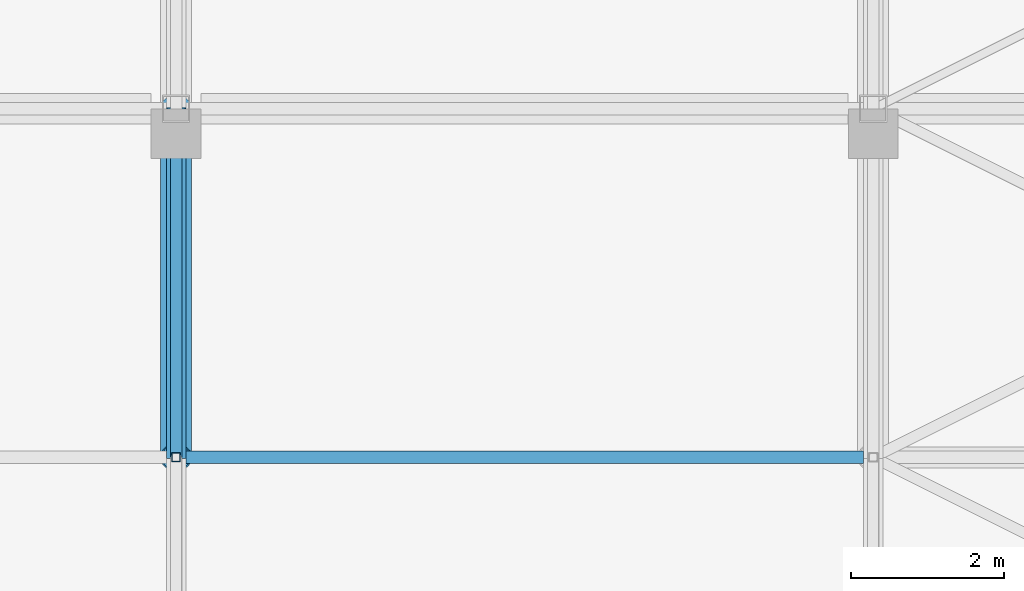
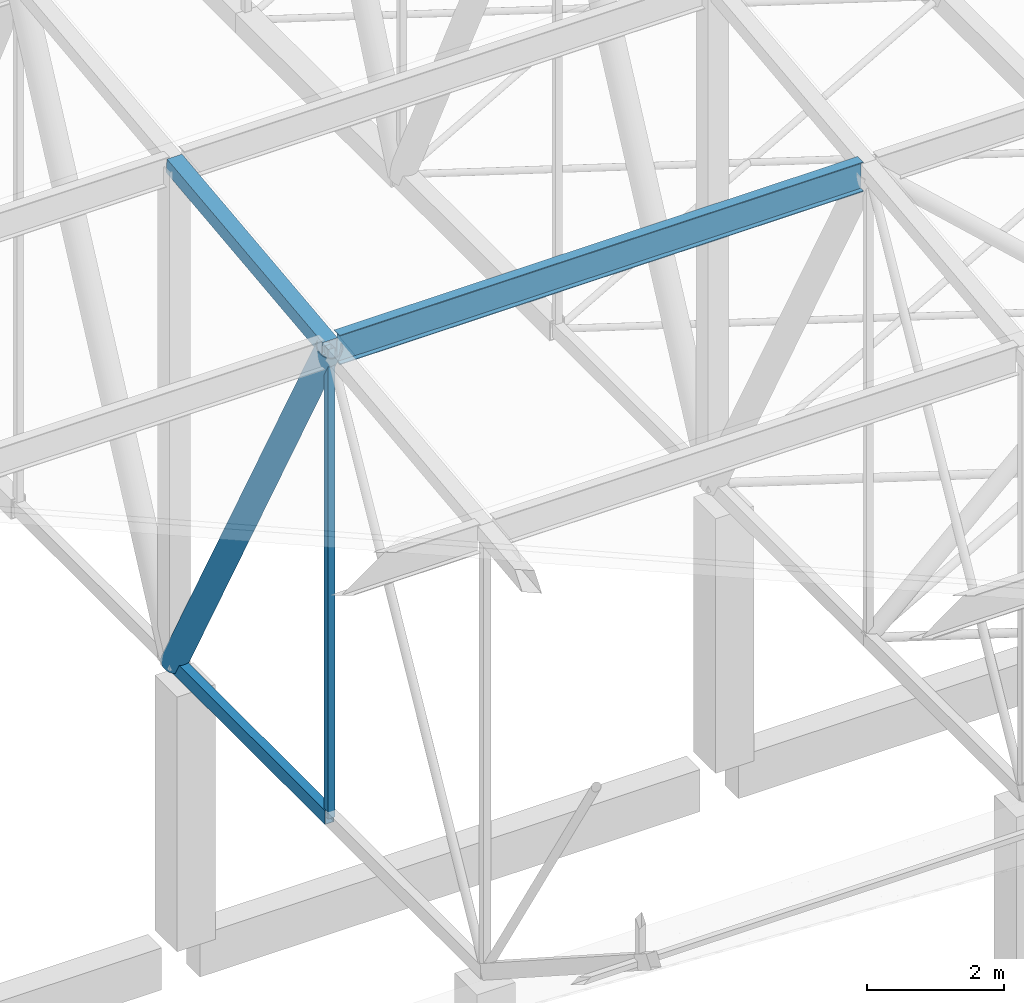
# One storey, part 101 of 500: 5 members.
"""IFC4 building model written with IfcOpenShell, lengths in metres."""

import ifcopenshell
import ifcopenshell.guid

model = None  # the IFC model being written
_history = None  # IfcOwnerHistory: only IFC2X3 demands one
_inside = {}  # id of a spatial element -> (the spatial element, [elements in it])
_under = {}  # id of a project, library or spatial element -> (it, [spatial elements below it])
_declared = {}  # id of a project -> (the project, [libraries it declares])
_typed = {}  # id of a type object -> (the type object, [elements of that type])
_made_of = {}  # id of a material, layer set ... -> (it, [elements and type objects made of it])


def new_model(schema):
    """Start an empty IFC model of exactly this schema.

    Asked for "IFC4X3", IfcOpenShell would pick the latest addendum, in which some entities
    have other attributes; the version numbers below select the first issue.
    IFC2X3 requires an IfcOwnerHistory on every rooted entity: one is made here for all.
    """
    global model, _history
    if schema == "IFC4X3":
        model = ifcopenshell.file(schema_version=(4, 3, 0, 0))
    else:
        model = ifcopenshell.file(schema=schema)
    _inside.clear()
    _under.clear()
    _declared.clear()
    _typed.clear()
    _made_of.clear()
    _history = None
    if model.schema == "IFC2X3":
        org = make("IfcOrganization", Name="unknown")
        user = make(
            "IfcPersonAndOrganization",
            ThePerson=make("IfcPerson", FamilyName="unknown"),
            TheOrganization=org,
        )
        app = make(
            "IfcApplication",
            ApplicationDeveloper=org,
            Version="unknown",
            ApplicationFullName="unknown",
            ApplicationIdentifier="unknown",
        )
        _history = make(
            "IfcOwnerHistory",
            OwningUser=user,
            OwningApplication=app,
            ChangeAction="ADDED",
            CreationDate=0,
        )
    return model


def make(cls, **values):
    """One entity of the class cls with the attributes given. An attribute that is None is left unset."""
    return model.create_entity(
        cls, **{name: value for name, value in values.items() if value is not None}
    )


def rooted(cls, **values):
    """An entity with a GlobalId (a new one), such as an element, a storey or a relation."""
    return make(cls, GlobalId=ifcopenshell.guid.new(), OwnerHistory=_history, **values)


def si_unit(unit_type, name, prefix=None):
    """IfcSIUnit, for example si_unit("LENGTHUNIT", "METRE", prefix="MILLI")."""
    return make("IfcSIUnit", UnitType=unit_type, Prefix=prefix, Name=name)


def assignment(units):
    """IfcUnitAssignment: the units of a project."""
    return None if units is None else make("IfcUnitAssignment", Units=units)


def point(xyz):
    """IfcCartesianPoint."""
    return None if xyz is None else make("IfcCartesianPoint", Coordinates=xyz)


def direction(xyz):
    """IfcDirection."""
    return None if xyz is None else make("IfcDirection", DirectionRatios=xyz)


def frame(location, z_axis=None, x_axis=None):
    """IfcAxis2Placement3D, a coordinate frame: its origin and axes. An axis left out is left unset."""
    return make(
        "IfcAxis2Placement3D",
        Location=point(location),
        Axis=direction(z_axis),
        RefDirection=direction(x_axis),
    )


def frame_2d(location, x_axis=None):
    """IfcAxis2Placement2D, a coordinate frame in the plane: its origin and x axis."""
    return make(
        "IfcAxis2Placement2D", Location=point(location), RefDirection=direction(x_axis)
    )


def origin():
    """The frame at (0, 0, 0) with its axes left unset."""
    return frame((0.0, 0.0, 0.0))


def origin_2d():
    """The frame at (0, 0) in the plane with its x axis left unset."""
    return frame_2d((0.0, 0.0))


def place(relative_to, where):
    """IfcLocalPlacement: puts the frame where relative to a parent placement (None: the world)."""
    return make(
        "IfcLocalPlacement", PlacementRelTo=relative_to, RelativePlacement=where
    )


def context(
    kind, dimensions, precision=None, world=None, true_north=None, identifier=None
):
    """IfcGeometricRepresentationContext, for example the 3D "Model" context."""
    return make(
        "IfcGeometricRepresentationContext",
        ContextIdentifier=identifier,
        ContextType=kind,
        CoordinateSpaceDimension=dimensions,
        Precision=precision,
        WorldCoordinateSystem=world,
        TrueNorth=true_north,
    )


def subcontext(parent, identifier, kind, view, scale=None):
    """IfcGeometricRepresentationSubContext, for example "Body" below "Model"."""
    return make(
        "IfcGeometricRepresentationSubContext",
        ContextIdentifier=identifier,
        ContextType=kind,
        ParentContext=parent,
        TargetScale=scale,
        TargetView=view,
    )


def project(units=None, contexts=None):
    """IfcProject with its units and contexts."""
    return rooted(
        "IfcProject",
        Name="project",
        RepresentationContexts=contexts,
        UnitsInContext=assignment(units),
    )


def spatial(cls, under=None, at=None, **own):
    """A site, building, storey or space (cls), placed at a placement, below another one or the project."""
    s = rooted(cls, ObjectPlacement=at, **own)
    if under is not None:
        _under.setdefault(under.id(), (under, []))[1].append(s)
    return s


def profile(cls, at=None, kind="AREA", **sizes):
    """A parametric profile (cls). Its sizes go by their IFC names, for example OverallWidth=200.0."""
    return make(cls, ProfileType=kind, Position=at, **sizes)


def hollow_rectangle(**sizes):
    """IfcRectangleHollowProfileDef."""
    return profile("IfcRectangleHollowProfileDef", **sizes)


def hollow_circle(**sizes):
    """IfcCircleHollowProfileDef."""
    return profile("IfcCircleHollowProfileDef", **sizes)


def i_section(**sizes):
    """IfcIShapeProfileDef."""
    return profile("IfcIShapeProfileDef", **sizes)


def extrude(swept, where, along, depth):
    """IfcExtrudedAreaSolid: the profile swept, set in the frame where, extruded along a direction by depth."""
    return make(
        "IfcExtrudedAreaSolid",
        SweptArea=swept,
        Position=where,
        ExtrudedDirection=direction(along),
        Depth=depth,
    )


def shape(context_of_items, identifier, shape_type, items):
    """IfcShapeRepresentation: the items that make up one representation, for example the "Body"."""
    return make(
        "IfcShapeRepresentation",
        ContextOfItems=context_of_items,
        RepresentationIdentifier=identifier,
        RepresentationType=shape_type,
        Items=items,
    )


def material(Name=None, Category=None):
    """IfcMaterial."""
    return make("IfcMaterial", Name=Name, Category=Category)


def material_profile(
    of_material, cross_section, Name=None, Category=None, Priority=None
):
    """IfcMaterialProfile: a cross section and its material."""
    return make(
        "IfcMaterialProfile",
        Name=Name,
        Material=of_material,
        Profile=cross_section,
        Priority=Priority,
        Category=Category,
    )


def profile_set(profiles, Name=None, composite=None):
    """IfcMaterialProfileSet."""
    return make(
        "IfcMaterialProfileSet",
        Name=Name,
        MaterialProfiles=profiles,
        CompositeProfile=composite,
    )


def made_of(thing, what):
    """Note that an element or type object is made of a material, layer set ...; save() writes the relation."""
    if what is not None:
        _made_of.setdefault(what.id(), (what, []))[1].append(thing)
    return thing


def type_object(cls, material=None, **own):
    """A type object (cls), such as IfcWallType, which elements share."""
    return made_of(rooted(cls, **own), material)


def element(
    cls,
    number,
    at=None,
    inside=None,
    cuts=None,
    type_object=None,
    material=None,
    context=None,
    identifier="Body",
    shape_type=None,
    held_by="IfcProductDefinitionShape",
    body=None,
    shapes=None,
    **own,
):
    """One element of the class cls, such as IfcWall. Its Tag is "e" and its number.

    at: its placement. inside: the storey or other place that contains it. cuts: it is an
    opening in that element (IfcRelVoidsElement). A single representation is given by context,
    identifier, shape_type and body (its items); several are given by shapes. held_by: the class
    of the entity that holds the representations. save() writes the other relations.
    """
    e = rooted(cls, Tag="e%d" % number, ObjectPlacement=at, **own)
    if body is not None:
        shapes = [shape(context, identifier, shape_type, body)]
    if shapes is not None:
        e.Representation = make(held_by, Representations=shapes)
    if inside is not None:
        _inside.setdefault(inside.id(), (inside, []))[1].append(e)
    if cuts is not None:
        rooted(
            "IfcRelVoidsElement", RelatingBuildingElement=cuts, RelatedOpeningElement=e
        )
    if type_object is not None:
        _typed.setdefault(type_object.id(), (type_object, []))[1].append(e)
    return made_of(e, material)


def aggregate(whole, parts):
    """IfcRelAggregates: a whole, such as a stair, and the parts it consists of."""
    return rooted("IfcRelAggregates", RelatingObject=whole, RelatedObjects=parts)


def save(model, path):
    """Write the relations noted so far, then the file.

    IfcRelAggregates (storeys below a building ...), IfcRelContainedInSpatialStructure (elements
    in a storey), IfcRelDefinesByType, IfcRelAssociatesMaterial and IfcRelDeclares: one each for
    every whole, place, type object, material and project.
    """
    for whole, parts in _under.values():
        aggregate(whole, parts)
    for where, things in _inside.values():
        rooted(
            "IfcRelContainedInSpatialStructure",
            RelatedElements=things,
            RelatingStructure=where,
        )
    for kind, things in _typed.values():
        rooted("IfcRelDefinesByType", RelatedObjects=things, RelatingType=kind)
    for what, things in _made_of.values():
        rooted("IfcRelAssociatesMaterial", RelatedObjects=things, RelatingMaterial=what)
    for by, libraries in _declared.values():
        rooted("IfcRelDeclares", RelatingContext=by, RelatedDefinitions=libraries)
    model.write(path)


model = new_model("IFC4")

# Units and contexts
model_context = context("Model", 3, precision=1e-05, world=origin(), true_north=direction((0.0, 1.0)))
body_context = subcontext(model_context, "Body", "Model", "MODEL_VIEW")
ifc_project = project(units=[si_unit("LENGTHUNIT", "METRE"), si_unit("AREAUNIT", "SQUARE_METRE"), si_unit("VOLUMEUNIT", "CUBIC_METRE"), si_unit("PLANEANGLEUNIT", "RADIAN"), si_unit("MASSUNIT", "GRAM", prefix="KILO")], contexts=[model_context])

# Site, building, storey
site_placement = place(None, origin())
site = spatial("IfcSite", under=ifc_project, at=site_placement, CompositionType="ELEMENT")
building_placement = place(site_placement, origin())
building = spatial("IfcBuilding", under=site, at=building_placement, Name="Shirokan Park Arena", CompositionType="ELEMENT")
storey_placement = place(building_placement, frame((0.0, 0.0, 29.1201171875)))
storey = spatial("IfcBuildingStorey", under=building, at=storey_placement, Name="L06", CompositionType="ELEMENT", Elevation=29.1201171875)

# Members
ifc_material_1 = material(Name="Steel ASTM A500 Grade C", Category="steel")
ifc_material_profile_1 = material_profile(ifc_material_1, hollow_rectangle(XDim=0.152099609375, YDim=0.25390625, WallThickness=0.009521484375, at=origin_2d()), Name="HSS254X152.4X9.5")
ifc_profile_set_1 = profile_set([ifc_material_profile_1], Name="Steel ASTM A500 Grade C")
member_type_1 = type_object("IfcMemberType", Name="Bottom chord HSS254X152.4X9.5", PredefinedType="CHORD", material=ifc_profile_set_1)
member_1_placement = place(storey_placement, frame((81.89990234375, 4.550048828125, 4.677001953125), z_axis=(0.0, 1.0, 0.0), x_axis=(-1.0, 0.0, 0.0)))
element("IfcMember", 1, at=member_1_placement, inside=storey, type_object=member_type_1, Name="Truss T10 bottom chord 4", PredefinedType="CHORD", context=body_context, shape_type="SweptSolid", body=[
    extrude(hollow_rectangle(XDim=0.152099609375, YDim=0.25390625, WallThickness=0.009521484375, at=origin_2d()), origin(), (0.0, 0.0, 1.0), 4.550048828125),
])
ifc_material_2 = material(Name="Steel ASTM A992", Category="steel")
ifc_material_profile_2 = material_profile(ifc_material_2, i_section(OverallWidth=0.166015625, OverallDepth=0.528076171875, WebThickness=0.009765625, FlangeThickness=0.013671875, at=origin_2d()), Name="W530X74")
ifc_profile_set_2 = profile_set([ifc_material_profile_2], Name="Steel ASTM A992")
member_type_2 = type_object("IfcMemberType", Name="Purlin W530X74", PredefinedType="PURLIN", material=ifc_profile_set_2)
member_2_placement = place(storey_placement, frame((82.027099609375, 4.550048828125, 13.005859375), z_axis=(1.0, 0.0, 0.0), x_axis=(0.0, 1.0, 0.0)))
element("IfcMember", 2, at=member_2_placement, inside=storey, type_object=member_type_2, Name="Purlin 4 bay 10", PredefinedType="PURLIN", context=body_context, shape_type="SweptSolid", body=[
    extrude(i_section(OverallWidth=0.166015625, OverallDepth=0.528076171875, WebThickness=0.009765625, FlangeThickness=0.013671875, at=origin_2d()), origin(), (0.0, 0.0, 1.0), 8.845947265625),
])
ifc_material_profile_3 = material_profile(ifc_material_1, hollow_rectangle(XDim=0.25390625, YDim=0.25390625, WallThickness=0.009521484375, at=origin_2d()), Name="HSS254X254X9.5")
ifc_profile_set_3 = profile_set([ifc_material_profile_3], Name="Steel ASTM A500 Grade C")
member_type_3 = type_object("IfcMemberType", Name="Top chord HSS254X254X9.5", PredefinedType="CHORD", material=ifc_profile_set_3)
member_3_placement = place(storey_placement, frame((81.89990234375, 4.550048828125, 13.061279296875), z_axis=(0.0, 0.993532328996, 0.113549598152), x_axis=(-1.0, 0.0, 0.0)))
element("IfcMember", 3, at=member_3_placement, inside=storey, type_object=member_type_3, Name="Truss T10 top chord 4", PredefinedType="CHORD", context=body_context, shape_type="SweptSolid", body=[
    extrude(hollow_rectangle(XDim=0.25390625, YDim=0.25390625, WallThickness=0.009521484375, at=origin_2d()), origin(), (0.0, 0.0, 1.0), 4.57958984375),
])
ifc_material_profile_4 = material_profile(ifc_material_1, hollow_circle(Radius=0.202880859375, WallThickness=0.015869140625, at=origin_2d()), Name="HSS406.4X15.9")
ifc_profile_set_4 = profile_set([ifc_material_profile_4], Name="Steel ASTM A500 Grade C")
member_type_4 = type_object("IfcMemberType", Name="Truss diagonal HSS406.4X15.9", PredefinedType="BRACE", material=ifc_profile_set_4)
member_4_placement = place(storey_placement, frame((81.89990234375, 4.550048828125, 13.061279296875), z_axis=(0.0, 0.476977206611, -0.878915663971), x_axis=(-1.0, 0.0, 0.0)))
element("IfcMember", 4, at=member_4_placement, inside=storey, type_object=member_type_4, Name="Truss T10 diagonal 4", PredefinedType="BRACE", context=body_context, shape_type="SweptSolid", body=[
    extrude(hollow_circle(Radius=0.202880859375, WallThickness=0.015869140625, at=origin_2d()), origin(), (0.0, 0.0, 1.0), 9.539306640625),
])
ifc_material_profile_5 = material_profile(ifc_material_1, hollow_rectangle(XDim=0.114013671875, YDim=0.114013671875, WallThickness=0.00634765625, at=origin_2d()), Name="HSS114.3X114.3X6.4")
ifc_profile_set_5 = profile_set([ifc_material_profile_5], Name="Steel ASTM A500 Grade C")
member_type_5 = type_object("IfcMemberType", Name="Truss post HSS114.3X114.3X6.4", PredefinedType="POST", material=ifc_profile_set_5)
member_5_placement = place(storey_placement, frame((81.89990234375, 4.550048828125, 4.677001953125), z_axis=(0.0, 0.0, 1.0), x_axis=(1.0, 0.0, 0.0)))
element("IfcMember", 5, at=member_5_placement, inside=storey, type_object=member_type_5, Name="Truss T10 post 4", PredefinedType="POST", context=body_context, shape_type="SweptSolid", body=[
    extrude(hollow_rectangle(XDim=0.114013671875, YDim=0.114013671875, WallThickness=0.00634765625, at=origin_2d()), origin(), (0.0, 0.0, 1.0), 8.38427734375),
])

save(model, "model.ifc")
